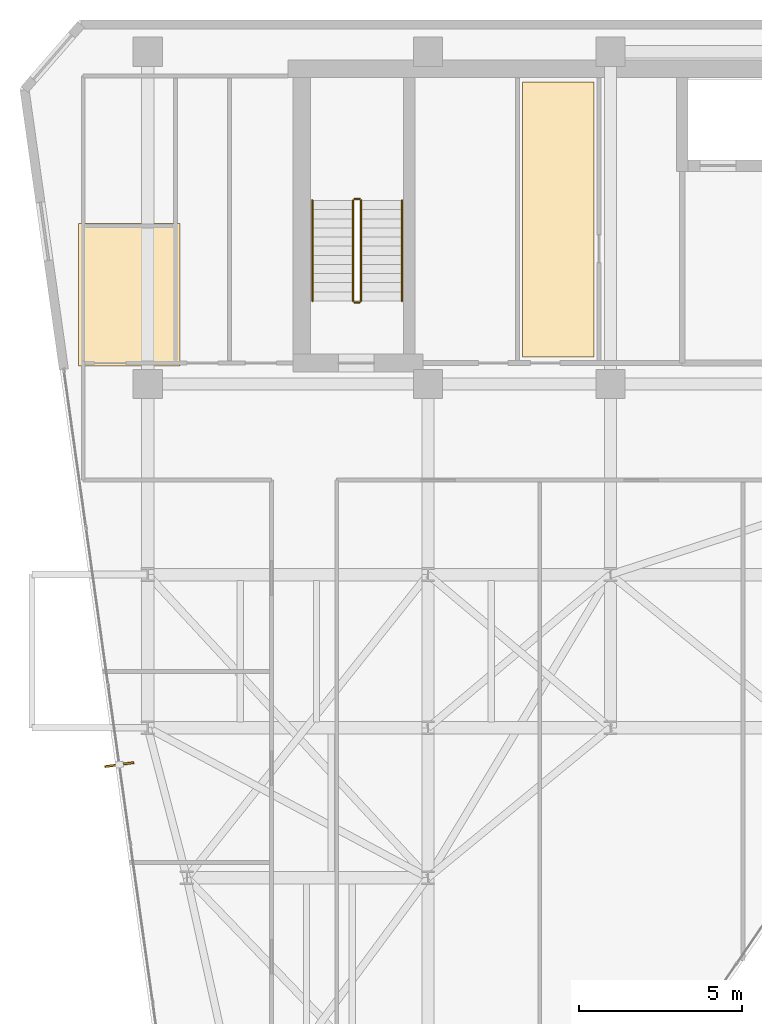
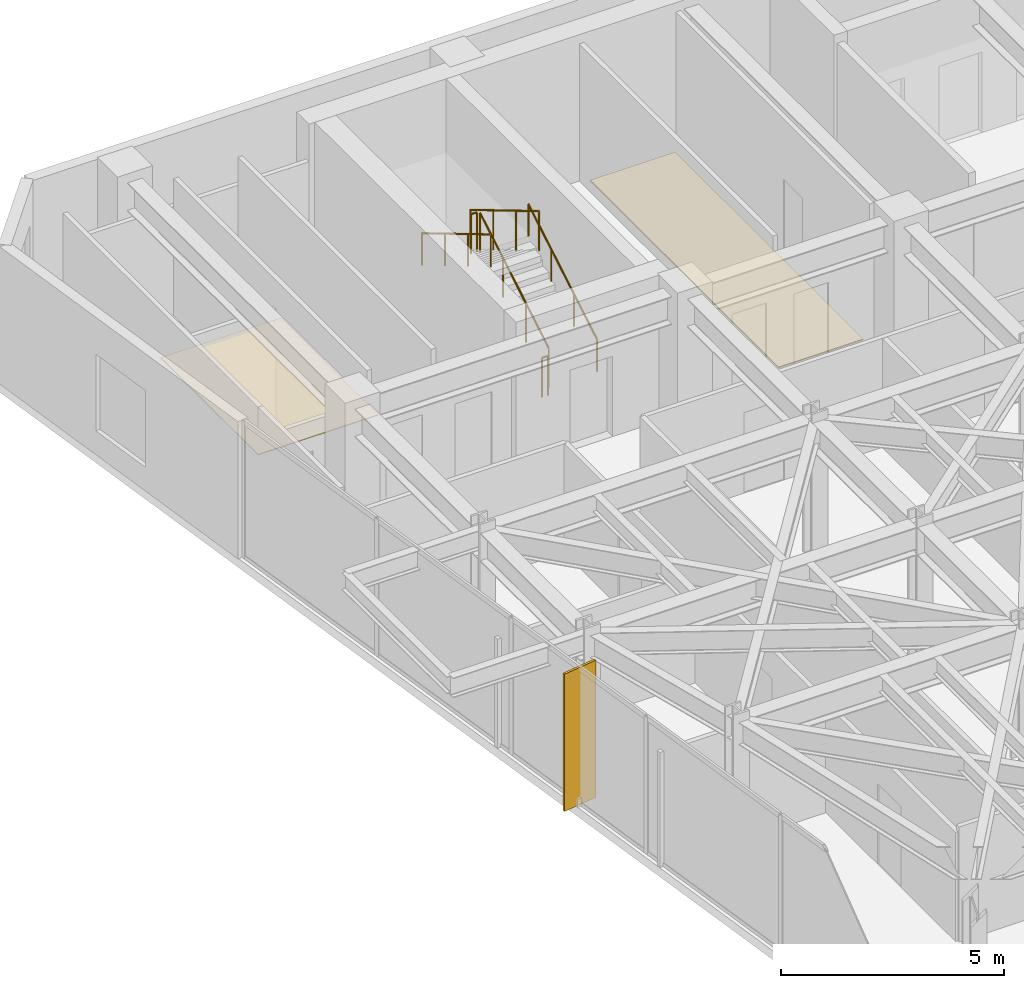
# One storey, part 25 of 27: 6 railings, 2 coverings, 1 shading device.
"""IFC4 building model written with IfcOpenShell, lengths in metres."""

from ifc_helpers import new_model, si_unit, direction, frame, origin, origin_2d, place, context, subcontext, project, spatial, polyline, rectangle, circle, outline, extrude, material, layer, layer_set, type_object, element, save


model = new_model("IFC4")

# Units and contexts
model_context = context("Model", 3, precision=1e-05, world=origin(), true_north=direction((0.0, 1.0)))
body_context = subcontext(model_context, "Body", "Model", "MODEL_VIEW")
ifc_project = project(units=[si_unit("LENGTHUNIT", "METRE"), si_unit("AREAUNIT", "SQUARE_METRE"), si_unit("VOLUMEUNIT", "CUBIC_METRE"), si_unit("PLANEANGLEUNIT", "RADIAN"), si_unit("MASSUNIT", "GRAM", prefix="KILO")], contexts=[model_context])

# Site, building, storey
site_placement = place(None, origin())
site = spatial("IfcSite", under=ifc_project, at=site_placement, CompositionType="ELEMENT")
building_placement = place(site_placement, origin())
building = spatial("IfcBuilding", under=site, at=building_placement, Name="Kravanh Interchange Tower", CompositionType="ELEMENT")
storey_placement = place(building_placement, frame((0.0, 0.0, 188.5)))
storey = spatial("IfcBuildingStorey", under=building, at=storey_placement, Name="L45", CompositionType="ELEMENT", Elevation=188.5)

# Coverings
ifc_material_1 = material(Name="Cementitious Terrazzo Tile")
ifc_layer_1 = layer(ifc_material_1, 0.030029296875)
ifc_layer_set_1 = layer_set([ifc_layer_1], Name="Honed Terrazzo Lobby Flooring 30mm")
covering_type_1 = type_object("IfcCoveringType", Name="Honed Terrazzo Lobby Flooring 30mm", PredefinedType="FLOORING", material=ifc_layer_set_1)
covering_1_placement = place(storey_placement, origin())
element("IfcCovering", 1, at=covering_1_placement, inside=storey, type_object=covering_type_1, Name="L45 First Aid and Lactation Room Floor Finish", PredefinedType="FLOORING", context=body_context, shape_type="SweptSolid", body=[
    extrude(outline(polyline([(30.10009765625, 46.6201171875), (32.300048828125, 46.6201171875), (32.300048828125, 38.179931640625), (30.10009765625, 38.179931640625), (30.10009765625, 46.6201171875)])), origin(), (0.0, 0.0, 1.0), 0.030029296875),
])
ifc_material_2 = material(Name="Acoustic Mineral Fibre Tile on Aluminium Grid", Category="aluminium")
ifc_layer_2 = layer(ifc_material_2, 0.02490234375)
ifc_layer_set_2 = layer_set([ifc_layer_2], Name="Perforated Acoustic Mineral Ceiling 25mm")
covering_type_2 = type_object("IfcCoveringType", Name="Perforated Acoustic Mineral Ceiling 25mm", PredefinedType="CEILING", material=ifc_layer_set_2)
covering_2_placement = place(storey_placement, frame((0.0, 0.0, 2.550048828125)))
element("IfcCovering", 2, at=covering_2_placement, inside=storey, type_object=covering_type_2, Name="L45 Accessible WC Suspended Ceiling", PredefinedType="CEILING", context=body_context, shape_type="SweptSolid", body=[
    extrude(outline(polyline([(19.590087890625, 42.280029296875), (19.590087890625, 37.909912109375), (16.47998046875, 37.909912109375), (16.47998046875, 42.280029296875), (19.590087890625, 42.280029296875)])), origin(), (0.0, 0.0, 1.0), 0.02490234375),
])

# Railings
ifc_material_3 = material(Name="Structural Steel S355", Category="steel")
ifc_layer_3 = layer(ifc_material_3, 0.050048828125)
ifc_layer_set_3 = layer_set([ifc_layer_3], Name="Stair Well Guardrail Structural Steel S355 1100mm")
railing_type_1 = type_object("IfcRailingType", Name="Stair Well Guardrail Structural Steel S355 1100mm", PredefinedType="GUARDRAIL", material=ifc_layer_set_3)
railing_1_placement = place(storey_placement, frame((25.14990234375, 39.89990234375, 0.166748046875)))
element("IfcRailing", 3, at=railing_1_placement, inside=storey, type_object=railing_type_1, Name="L45 ST3 stair guard 1", PredefinedType="GUARDRAIL", context=body_context, shape_type="SweptSolid", body=[
    extrude(circle(Radius=0.02392578125, at=origin_2d()), frame((0.0, 0.0, 1.076171875), z_axis=(0.0, 0.859308565015, 0.511457515432), x_axis=(-1.0, 0.0, 0.0)), (0.0, 0.0, 1.0), 3.58447265625),
    extrude(circle(Radius=0.02099609375, at=origin_2d()), origin(), (0.0, 0.0, 1.0), 1.052001953125),
    extrude(circle(Radius=0.02099609375, at=origin_2d()), frame((0.0, 1.026611328125, 0.611083984375)), (0.0, 0.0, 1.0), 1.052001953125),
    extrude(circle(Radius=0.02099609375, at=origin_2d()), frame((0.0, 2.053466796875, 1.22216796875)), (0.0, 0.0, 1.0), 1.052001953125),
    extrude(circle(Radius=0.02099609375, at=origin_2d()), frame((0.0, 3.080078125, 1.833251953125)), (0.0, 0.0, 1.0), 1.052001953125),
])
railing_2_placement = place(storey_placement, frame((25.10009765625, 43.030029296875, 2.0)))
element("IfcRailing", 4, at=railing_2_placement, inside=storey, type_object=railing_type_1, Name="L45 ST3 stair guard 2", PredefinedType="GUARDRAIL", context=body_context, shape_type="SweptSolid", body=[
    extrude(circle(Radius=0.02392578125, at=origin_2d()), frame((0.0, 0.0, 1.076171875), z_axis=(-1.0, 0.0, 0.0), x_axis=(0.0, -1.0, 0.0)), (0.0, 0.0, 1.0), 0.150146484375),
    extrude(circle(Radius=0.02099609375, at=origin_2d()), origin(), (0.0, 0.0, 1.0), 1.052001953125),
    extrude(circle(Radius=0.02099609375, at=origin_2d()), frame((-0.150146484375, 0.0, 0.0)), (0.0, 0.0, 1.0), 1.052001953125),
])
railing_3_placement = place(storey_placement, frame((24.89990234375, 42.97998046875, 2.166748046875)))
element("IfcRailing", 5, at=railing_3_placement, inside=storey, type_object=railing_type_1, Name="L45 ST3 stair guard 3", PredefinedType="GUARDRAIL", context=body_context, shape_type="SweptSolid", body=[
    extrude(circle(Radius=0.02392578125, at=origin_2d()), frame((0.0, 0.0, 1.076171875), z_axis=(0.0, -0.859308565015, 0.511457515432), x_axis=(1.0, 0.0, 0.0)), (0.0, 0.0, 1.0), 3.58447265625),
    extrude(circle(Radius=0.02099609375, at=origin_2d()), origin(), (0.0, 0.0, 1.0), 1.052001953125),
    extrude(circle(Radius=0.02099609375, at=origin_2d()), frame((0.0, -1.026611328125, 0.611083984375)), (0.0, 0.0, 1.0), 1.052001953125),
    extrude(circle(Radius=0.02099609375, at=origin_2d()), frame((0.0, -2.053466796875, 1.22216796875)), (0.0, 0.0, 1.0), 1.052001953125),
    extrude(circle(Radius=0.02099609375, at=origin_2d()), frame((0.0, -3.080078125, 1.833251953125)), (0.0, 0.0, 1.0), 1.052001953125),
])
railing_4_placement = place(storey_placement, frame((25.10009765625, 39.85009765625, 0.0)))
element("IfcRailing", 6, at=railing_4_placement, inside=storey, type_object=railing_type_1, Name="L45 ST3 stair guard 4", PredefinedType="GUARDRAIL", context=body_context, shape_type="SweptSolid", body=[
    extrude(circle(Radius=0.02392578125, at=origin_2d()), frame((0.0, 0.0, 1.076171875), z_axis=(-1.0, 0.0, 0.0), x_axis=(0.0, -1.0, 0.0)), (0.0, 0.0, 1.0), 0.150146484375),
    extrude(circle(Radius=0.02099609375, at=origin_2d()), origin(), (0.0, 0.0, 1.0), 1.052001953125),
    extrude(circle(Radius=0.02099609375, at=origin_2d()), frame((-0.150146484375, 0.0, 0.0)), (0.0, 0.0, 1.0), 1.052001953125),
])
ifc_material_4 = material(Name="Stainless Steel 304", Category="steel")
ifc_layer_4 = layer(ifc_material_4, 0.044921875)
ifc_layer_set_4 = layer_set([ifc_layer_4], Name="Tubular Stair Handrail Stainless 304 900mm")
railing_type_2 = type_object("IfcRailingType", Name="Tubular Stair Handrail Stainless 304 900mm", PredefinedType="HANDRAIL", material=ifc_layer_set_4)
railing_5_placement = place(storey_placement, frame((26.39990234375, 39.89990234375, 0.166748046875)))
element("IfcRailing", 7, at=railing_5_placement, inside=storey, type_object=railing_type_2, Name="L45 ST3 stair handrail 1", PredefinedType="HANDRAIL", context=body_context, shape_type="SweptSolid", body=[
    extrude(circle(Radius=0.02392578125, at=origin_2d()), frame((0.0, 0.0, 0.8759765625), z_axis=(0.0, 0.859308565015, 0.511457515432), x_axis=(-1.0, 0.0, 0.0)), (0.0, 0.0, 1.0), 3.58447265625),
    extrude(circle(Radius=0.02099609375, at=origin_2d()), origin(), (0.0, 0.0, 1.0), 0.851806640625),
    extrude(circle(Radius=0.02099609375, at=origin_2d()), frame((0.0, 1.026611328125, 0.611083984375)), (0.0, 0.0, 1.0), 0.851806640625),
    extrude(circle(Radius=0.02099609375, at=origin_2d()), frame((0.0, 2.053466796875, 1.22216796875)), (0.0, 0.0, 1.0), 0.851806640625),
    extrude(circle(Radius=0.02099609375, at=origin_2d()), frame((0.0, 3.080078125, 1.833251953125)), (0.0, 0.0, 1.0), 0.851806640625),
])
railing_6_placement = place(storey_placement, frame((23.64990234375, 42.97998046875, 2.166748046875)))
element("IfcRailing", 8, at=railing_6_placement, inside=storey, type_object=railing_type_2, Name="L45 ST3 stair handrail 2", PredefinedType="HANDRAIL", context=body_context, shape_type="SweptSolid", body=[
    extrude(circle(Radius=0.02392578125, at=origin_2d()), frame((0.0, 0.0, 0.8759765625), z_axis=(0.0, -0.859308565015, 0.511457515432), x_axis=(1.0, 0.0, 0.0)), (0.0, 0.0, 1.0), 3.58447265625),
    extrude(circle(Radius=0.02099609375, at=origin_2d()), origin(), (0.0, 0.0, 1.0), 0.851806640625),
    extrude(circle(Radius=0.02099609375, at=origin_2d()), frame((0.0, -1.026611328125, 0.611083984375)), (0.0, 0.0, 1.0), 0.851806640625),
    extrude(circle(Radius=0.02099609375, at=origin_2d()), frame((0.0, -2.053466796875, 1.22216796875)), (0.0, 0.0, 1.0), 0.851806640625),
    extrude(circle(Radius=0.02099609375, at=origin_2d()), frame((0.0, -3.080078125, 1.833251953125)), (0.0, 0.0, 1.0), 0.851806640625),
])

# Shading device
ifc_material_5 = material(Name="Anodised Champagne Bronze Aluminium", Category="aluminium")
ifc_layer_5 = layer(ifc_material_5, 0.06005859375)
ifc_layer_set_5 = layer_set([ifc_layer_5], Name="Vertical Bronze Solar Fin 900mm")
shading_device_type = type_object("IfcShadingDeviceType", Name="Vertical Bronze Solar Fin 900mm", PredefinedType="USERDEFINED", material=ifc_layer_set_5)
shading_device_placement = place(storey_placement, frame((17.729736328125, 25.67041015625, 0.0), z_axis=(0.0, 0.0, 1.0), x_axis=(-0.990268182791, -0.139172289451, 0.0)))
element("IfcShadingDevice", 9, at=shading_device_placement, inside=storey, type_object=shading_device_type, Name="L45 BRONZE SOLAR FIN 1", ObjectType="FIN", PredefinedType="USERDEFINED", context=body_context, shape_type="SweptSolid", body=[
    extrude(rectangle(XDim=0.89990234375, YDim=0.06005859375, at=origin_2d()), origin(), (0.0, 0.0, 1.0), 3.7548828125),
])

save(model, "model.ifc")
